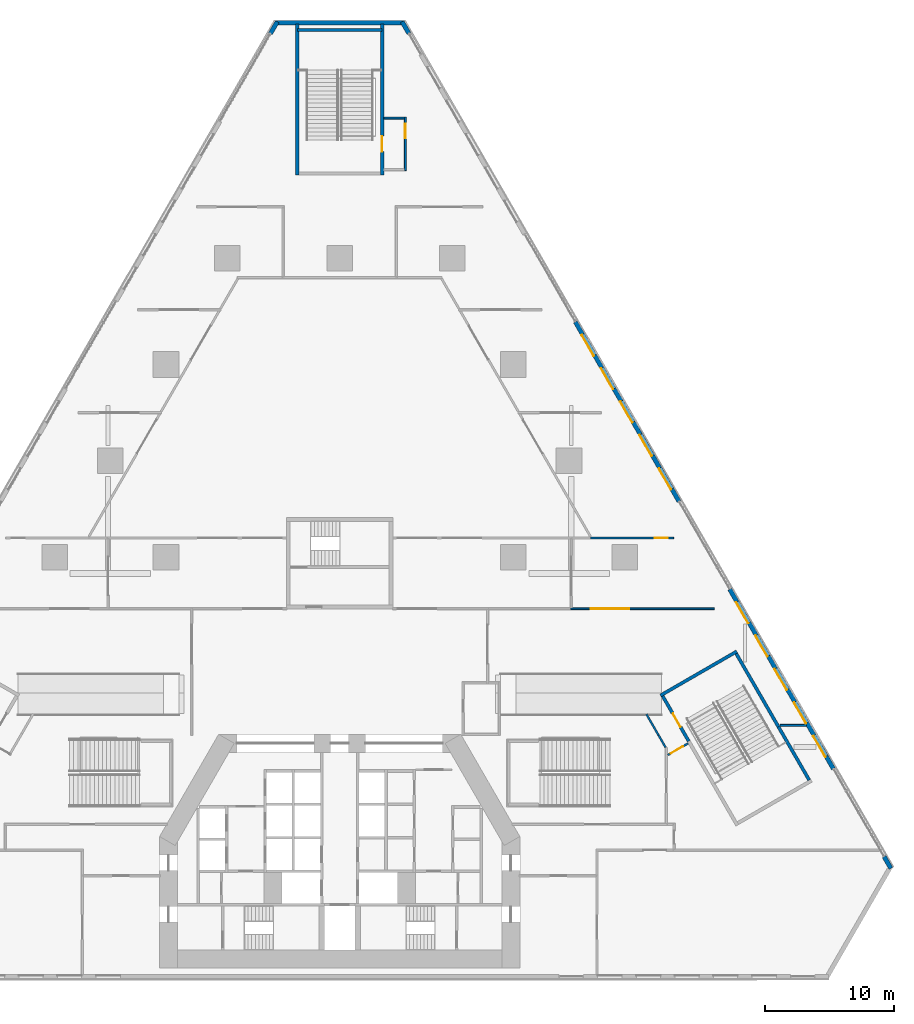
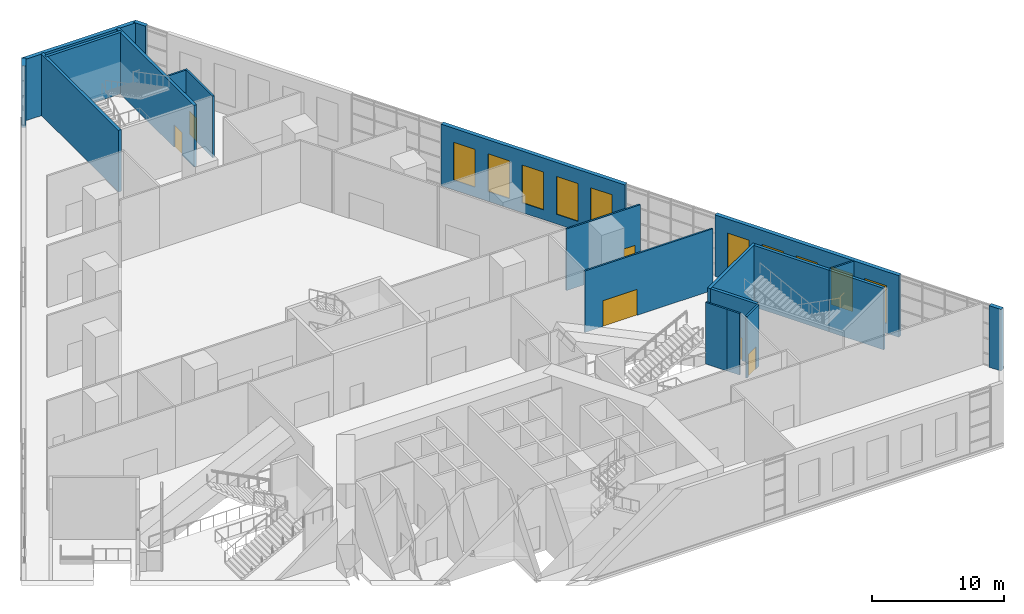
# One storey, part 19 of 27: 21 walls, 10 windows, 6 doors, 16 openings.
"""IFC4 building model written with IfcOpenShell, lengths in metres."""

import ifcopenshell
import ifcopenshell.guid

model = None  # the IFC model being written
_history = None  # IfcOwnerHistory: only IFC2X3 demands one
_inside = {}  # id of a spatial element -> (the spatial element, [elements in it])
_under = {}  # id of a project, library or spatial element -> (it, [spatial elements below it])
_declared = {}  # id of a project -> (the project, [libraries it declares])
_typed = {}  # id of a type object -> (the type object, [elements of that type])
_made_of = {}  # id of a material, layer set ... -> (it, [elements and type objects made of it])


def new_model(schema):
    """Start an empty IFC model of exactly this schema.

    Asked for "IFC4X3", IfcOpenShell would pick the latest addendum, in which some entities
    have other attributes; the version numbers below select the first issue.
    IFC2X3 requires an IfcOwnerHistory on every rooted entity: one is made here for all.
    """
    global model, _history
    if schema == "IFC4X3":
        model = ifcopenshell.file(schema_version=(4, 3, 0, 0))
    else:
        model = ifcopenshell.file(schema=schema)
    _inside.clear()
    _under.clear()
    _declared.clear()
    _typed.clear()
    _made_of.clear()
    _history = None
    if model.schema == "IFC2X3":
        org = make("IfcOrganization", Name="unknown")
        user = make(
            "IfcPersonAndOrganization",
            ThePerson=make("IfcPerson", FamilyName="unknown"),
            TheOrganization=org,
        )
        app = make(
            "IfcApplication",
            ApplicationDeveloper=org,
            Version="unknown",
            ApplicationFullName="unknown",
            ApplicationIdentifier="unknown",
        )
        _history = make(
            "IfcOwnerHistory",
            OwningUser=user,
            OwningApplication=app,
            ChangeAction="ADDED",
            CreationDate=0,
        )
    return model


def make(cls, **values):
    """One entity of the class cls with the attributes given. An attribute that is None is left unset."""
    return model.create_entity(
        cls, **{name: value for name, value in values.items() if value is not None}
    )


def rooted(cls, **values):
    """An entity with a GlobalId (a new one), such as an element, a storey or a relation."""
    return make(cls, GlobalId=ifcopenshell.guid.new(), OwnerHistory=_history, **values)


def si_unit(unit_type, name, prefix=None):
    """IfcSIUnit, for example si_unit("LENGTHUNIT", "METRE", prefix="MILLI")."""
    return make("IfcSIUnit", UnitType=unit_type, Prefix=prefix, Name=name)


def assignment(units):
    """IfcUnitAssignment: the units of a project."""
    return None if units is None else make("IfcUnitAssignment", Units=units)


def point(xyz):
    """IfcCartesianPoint."""
    return None if xyz is None else make("IfcCartesianPoint", Coordinates=xyz)


def direction(xyz):
    """IfcDirection."""
    return None if xyz is None else make("IfcDirection", DirectionRatios=xyz)


def frame(location, z_axis=None, x_axis=None):
    """IfcAxis2Placement3D, a coordinate frame: its origin and axes. An axis left out is left unset."""
    return make(
        "IfcAxis2Placement3D",
        Location=point(location),
        Axis=direction(z_axis),
        RefDirection=direction(x_axis),
    )


def frame_2d(location, x_axis=None):
    """IfcAxis2Placement2D, a coordinate frame in the plane: its origin and x axis."""
    return make(
        "IfcAxis2Placement2D", Location=point(location), RefDirection=direction(x_axis)
    )


def origin():
    """The frame at (0, 0, 0) with its axes left unset."""
    return frame((0.0, 0.0, 0.0))


def place(relative_to, where):
    """IfcLocalPlacement: puts the frame where relative to a parent placement (None: the world)."""
    return make(
        "IfcLocalPlacement", PlacementRelTo=relative_to, RelativePlacement=where
    )


def context(
    kind, dimensions, precision=None, world=None, true_north=None, identifier=None
):
    """IfcGeometricRepresentationContext, for example the 3D "Model" context."""
    return make(
        "IfcGeometricRepresentationContext",
        ContextIdentifier=identifier,
        ContextType=kind,
        CoordinateSpaceDimension=dimensions,
        Precision=precision,
        WorldCoordinateSystem=world,
        TrueNorth=true_north,
    )


def subcontext(parent, identifier, kind, view, scale=None):
    """IfcGeometricRepresentationSubContext, for example "Body" below "Model"."""
    return make(
        "IfcGeometricRepresentationSubContext",
        ContextIdentifier=identifier,
        ContextType=kind,
        ParentContext=parent,
        TargetScale=scale,
        TargetView=view,
    )


def project(units=None, contexts=None):
    """IfcProject with its units and contexts."""
    return rooted(
        "IfcProject",
        Name="project",
        RepresentationContexts=contexts,
        UnitsInContext=assignment(units),
    )


def spatial(cls, under=None, at=None, **own):
    """A site, building, storey or space (cls), placed at a placement, below another one or the project."""
    s = rooted(cls, ObjectPlacement=at, **own)
    if under is not None:
        _under.setdefault(under.id(), (under, []))[1].append(s)
    return s


def polyline(points):
    """IfcPolyline through the points."""
    return make("IfcPolyline", Points=[point(p) for p in points])


def profile(cls, at=None, kind="AREA", **sizes):
    """A parametric profile (cls). Its sizes go by their IFC names, for example OverallWidth=200.0."""
    return make(cls, ProfileType=kind, Position=at, **sizes)


def rectangle(**sizes):
    """IfcRectangleProfileDef."""
    return profile("IfcRectangleProfileDef", **sizes)


def outline(outer, holes=None, kind="AREA"):
    """IfcArbitraryClosedProfileDef: a profile drawn as a closed curve; with holes, ...WithVoids."""
    if holes is None:
        return make("IfcArbitraryClosedProfileDef", ProfileType=kind, OuterCurve=outer)
    return make(
        "IfcArbitraryProfileDefWithVoids",
        ProfileType=kind,
        OuterCurve=outer,
        InnerCurves=holes,
    )


def extrude(swept, where, along, depth):
    """IfcExtrudedAreaSolid: the profile swept, set in the frame where, extruded along a direction by depth."""
    return make(
        "IfcExtrudedAreaSolid",
        SweptArea=swept,
        Position=where,
        ExtrudedDirection=direction(along),
        Depth=depth,
    )


def shape(context_of_items, identifier, shape_type, items):
    """IfcShapeRepresentation: the items that make up one representation, for example the "Body"."""
    return make(
        "IfcShapeRepresentation",
        ContextOfItems=context_of_items,
        RepresentationIdentifier=identifier,
        RepresentationType=shape_type,
        Items=items,
    )


def material(Name=None, Category=None):
    """IfcMaterial."""
    return make("IfcMaterial", Name=Name, Category=Category)


def layer(
    of_material, thickness, ventilated=None, Name=None, Category=None, Priority=None
):
    """IfcMaterialLayer: one layer of a wall or slab, of a material (None: an air gap)."""
    return make(
        "IfcMaterialLayer",
        Material=of_material,
        LayerThickness=thickness,
        IsVentilated=ventilated,
        Name=Name,
        Category=Category,
        Priority=Priority,
    )


def layer_set(layers, Name=None):
    """IfcMaterialLayerSet."""
    return make("IfcMaterialLayerSet", MaterialLayers=layers, LayerSetName=Name)


def made_of(thing, what):
    """Note that an element or type object is made of a material, layer set ...; save() writes the relation."""
    if what is not None:
        _made_of.setdefault(what.id(), (what, []))[1].append(thing)
    return thing


def type_object(cls, material=None, **own):
    """A type object (cls), such as IfcWallType, which elements share."""
    return made_of(rooted(cls, **own), material)


def element(
    cls,
    number,
    at=None,
    inside=None,
    cuts=None,
    type_object=None,
    material=None,
    context=None,
    identifier="Body",
    shape_type=None,
    held_by="IfcProductDefinitionShape",
    body=None,
    shapes=None,
    **own,
):
    """One element of the class cls, such as IfcWall. Its Tag is "e" and its number.

    at: its placement. inside: the storey or other place that contains it. cuts: it is an
    opening in that element (IfcRelVoidsElement). A single representation is given by context,
    identifier, shape_type and body (its items); several are given by shapes. held_by: the class
    of the entity that holds the representations. save() writes the other relations.
    """
    e = rooted(cls, Tag="e%d" % number, ObjectPlacement=at, **own)
    if body is not None:
        shapes = [shape(context, identifier, shape_type, body)]
    if shapes is not None:
        e.Representation = make(held_by, Representations=shapes)
    if inside is not None:
        _inside.setdefault(inside.id(), (inside, []))[1].append(e)
    if cuts is not None:
        rooted(
            "IfcRelVoidsElement", RelatingBuildingElement=cuts, RelatedOpeningElement=e
        )
    if type_object is not None:
        _typed.setdefault(type_object.id(), (type_object, []))[1].append(e)
    return made_of(e, material)


def fill(opening, filler):
    """IfcRelFillsElement: the door or window that sits in an opening."""
    return rooted(
        "IfcRelFillsElement",
        RelatingOpeningElement=opening,
        RelatedBuildingElement=filler,
    )


def aggregate(whole, parts):
    """IfcRelAggregates: a whole, such as a stair, and the parts it consists of."""
    return rooted("IfcRelAggregates", RelatingObject=whole, RelatedObjects=parts)


def save(model, path):
    """Write the relations noted so far, then the file.

    IfcRelAggregates (storeys below a building ...), IfcRelContainedInSpatialStructure (elements
    in a storey), IfcRelDefinesByType, IfcRelAssociatesMaterial and IfcRelDeclares: one each for
    every whole, place, type object, material and project.
    """
    for whole, parts in _under.values():
        aggregate(whole, parts)
    for where, things in _inside.values():
        rooted(
            "IfcRelContainedInSpatialStructure",
            RelatedElements=things,
            RelatingStructure=where,
        )
    for kind, things in _typed.values():
        rooted("IfcRelDefinesByType", RelatedObjects=things, RelatingType=kind)
    for what, things in _made_of.values():
        rooted("IfcRelAssociatesMaterial", RelatedObjects=things, RelatingMaterial=what)
    for by, libraries in _declared.values():
        rooted("IfcRelDeclares", RelatingContext=by, RelatedDefinitions=libraries)
    model.write(path)


model = new_model("IFC4")

# Units and contexts
model_context = context("Model", 3, precision=1e-05, world=origin(), true_north=direction((0.0, 1.0)))
body_context = subcontext(model_context, "Body", "Model", "MODEL_VIEW")
ifc_project = project(units=[si_unit("LENGTHUNIT", "METRE"), si_unit("AREAUNIT", "SQUARE_METRE"), si_unit("VOLUMEUNIT", "CUBIC_METRE"), si_unit("PLANEANGLEUNIT", "RADIAN"), si_unit("MASSUNIT", "GRAM", prefix="KILO")], contexts=[model_context])

# Site, building, storey
site_placement = place(None, origin())
site = spatial("IfcSite", under=ifc_project, at=site_placement, CompositionType="ELEMENT")
building_placement = place(site_placement, origin())
building = spatial("IfcBuilding", under=site, at=building_placement, Name="Fogline Exchange Tower", CompositionType="ELEMENT")
storey_placement = place(building_placement, frame((0.0, 0.0, 8.0)))
storey = spatial("IfcBuildingStorey", under=building, at=storey_placement, Name="L01", CompositionType="ELEMENT", Elevation=8.0)

# Wall
ifc_material_1 = material(Name="Brick masonry", Category="masonry")
ifc_layer_1 = layer(ifc_material_1, 0.340087890625)
ifc_layer_set_1 = layer_set([ifc_layer_1], Name="FW1")
wall_type_1 = type_object("IfcWallType", Name="FW1", PredefinedType="SOLIDWALL", material=ifc_layer_set_1)
wall_1_placement = place(storey_placement, frame((42.852783203125, 8.5751953125, 0.0), z_axis=(0.0, 0.0, 1.0), x_axis=(-0.500062184469, 0.865989498588, 0.0)))
element("IfcWall", 1, at=wall_1_placement, inside=storey, type_object=wall_type_1, Name="Brick wall L01 E bay 1", PredefinedType="SOLIDWALL", context=body_context, shape_type="SweptSolid", body=[
    extrude(rectangle(XDim=1.057373046875, YDim=0.340087890625, at=frame_2d((0.52880859375, 0.0))), origin(), (0.0, 0.0, 1.0), 5.699951171875),
])

# Wall, openings, windows
wall_2_placement = place(storey_placement, frame((38.381591796875, 16.319580078125, 0.0), z_axis=(0.0, 0.0, 1.0), x_axis=(-0.500003967864, 0.866023112925, 0.0)))
wall_2 = element("IfcWall", 2, at=wall_2_placement, inside=storey, type_object=wall_type_1, Name="Brick wall L01 E bay 2", PredefinedType="SOLIDWALL", context=body_context, shape_type="SweptSolid", body=[
    extrude(rectangle(XDim=16.114990234375, YDim=0.340087890625, at=frame_2d((8.0576171875, 0.0))), origin(), (0.0, 0.0, 1.0), 5.699951171875),
])
opening_1_placement = place(wall_2_placement, frame((1.114990234375, 0.0, 0.89990234375)))
opening_1 = element("IfcOpeningElement", 3, at=opening_1_placement, cuts=wall_2, Name="Opening W7", PredefinedType="OPENING", context=body_context, shape_type="SweptSolid", body=[
    extrude(rectangle(XDim=1.885009765625, YDim=3.5, at=frame_2d((0.9423828125, 1.75))), frame((0.0, 0.18017578125, 0.0), z_axis=(0.0, -1.0, 0.0), x_axis=(1.0, 0.0, 0.0)), (0.0, 0.0, 1.0), 0.360107421875),
])
opening_2_placement = place(wall_2_placement, frame((4.114990234375, 0.0, 0.89990234375)))
opening_2 = element("IfcOpeningElement", 4, at=opening_2_placement, cuts=wall_2, Name="Opening W7", PredefinedType="OPENING", context=body_context, shape_type="SweptSolid", body=[
    extrude(rectangle(XDim=1.885009765625, YDim=3.5, at=frame_2d((0.9423828125, 1.75))), frame((0.0, 0.18017578125, 0.0), z_axis=(0.0, -1.0, 0.0), x_axis=(1.0, 0.0, 0.0)), (0.0, 0.0, 1.0), 0.360107421875),
])
opening_3_placement = place(wall_2_placement, frame((7.114990234375, 0.0, 0.89990234375)))
opening_3 = element("IfcOpeningElement", 5, at=opening_3_placement, cuts=wall_2, Name="Opening W7", PredefinedType="OPENING", context=body_context, shape_type="SweptSolid", body=[
    extrude(rectangle(XDim=1.885009765625, YDim=3.5, at=frame_2d((0.9423828125, 1.75))), frame((0.0, 0.18017578125, 0.0), z_axis=(0.0, -1.0, 0.0), x_axis=(1.0, 0.0, 0.0)), (0.0, 0.0, 1.0), 0.360107421875),
])
opening_4_placement = place(wall_2_placement, frame((10.114990234375, 0.0, 0.89990234375)))
opening_4 = element("IfcOpeningElement", 6, at=opening_4_placement, cuts=wall_2, Name="Opening W7", PredefinedType="OPENING", context=body_context, shape_type="SweptSolid", body=[
    extrude(rectangle(XDim=1.885009765625, YDim=3.5, at=frame_2d((0.9423828125, 1.75))), frame((0.0, 0.18017578125, 0.0), z_axis=(0.0, -1.0, 0.0), x_axis=(1.0, 0.0, 0.0)), (0.0, 0.0, 1.0), 0.360107421875),
])
opening_5_placement = place(wall_2_placement, frame((13.114990234375, 0.0, 0.89990234375)))
opening_5 = element("IfcOpeningElement", 7, at=opening_5_placement, cuts=wall_2, Name="Opening W7", PredefinedType="OPENING", context=body_context, shape_type="SweptSolid", body=[
    extrude(rectangle(XDim=1.885009765625, YDim=3.5, at=frame_2d((0.9423828125, 1.75))), frame((0.0, 0.18017578125, 0.0), z_axis=(0.0, -1.0, 0.0), x_axis=(1.0, 0.0, 0.0)), (0.0, 0.0, 1.0), 0.360107421875),
])
ifc_material_2 = material(Name="Aluminium and glass", Category="aluminium")
window_type = type_object("IfcWindowType", Name="W7", PartitioningType="SINGLE_PANEL", PredefinedType="WINDOW", material=ifc_material_2)
window_1_placement = place(opening_1_placement, origin())
window_1 = element("IfcWindow", 8, at=window_1_placement, inside=storey, type_object=window_type, Name="W7 W7", OverallHeight=3.5, OverallWidth=1.885009765625, PartitioningType="SINGLE_PANEL", PredefinedType="WINDOW", context=body_context, shape_type="SweptSolid", body=[
    extrude(rectangle(XDim=1.885009765625, YDim=3.5, at=frame_2d((0.9423828125, 1.75))), frame((0.0, 0.110107421875, 0.0), z_axis=(0.0, -1.0, 0.0), x_axis=(1.0, 0.0, 0.0)), (0.0, 0.0, 1.0), 0.06005859375),
])
fill(opening_1, window_1)
window_2_placement = place(opening_2_placement, origin())
window_2 = element("IfcWindow", 9, at=window_2_placement, inside=storey, type_object=window_type, Name="W7 W7", OverallHeight=3.5, OverallWidth=1.885009765625, PartitioningType="SINGLE_PANEL", PredefinedType="WINDOW", context=body_context, shape_type="SweptSolid", body=[
    extrude(rectangle(XDim=1.885009765625, YDim=3.5, at=frame_2d((0.9423828125, 1.75))), frame((0.0, 0.110107421875, 0.0), z_axis=(0.0, -1.0, 0.0), x_axis=(1.0, 0.0, 0.0)), (0.0, 0.0, 1.0), 0.06005859375),
])
fill(opening_2, window_2)
window_3_placement = place(opening_3_placement, origin())
window_3 = element("IfcWindow", 10, at=window_3_placement, inside=storey, type_object=window_type, Name="W7 W7", OverallHeight=3.5, OverallWidth=1.885009765625, PartitioningType="SINGLE_PANEL", PredefinedType="WINDOW", context=body_context, shape_type="SweptSolid", body=[
    extrude(rectangle(XDim=1.885009765625, YDim=3.5, at=frame_2d((0.9423828125, 1.75))), frame((0.0, 0.110107421875, 0.0), z_axis=(0.0, -1.0, 0.0), x_axis=(1.0, 0.0, 0.0)), (0.0, 0.0, 1.0), 0.06005859375),
])
fill(opening_3, window_3)
window_4_placement = place(opening_4_placement, origin())
window_4 = element("IfcWindow", 11, at=window_4_placement, inside=storey, type_object=window_type, Name="W7 W7", OverallHeight=3.5, OverallWidth=1.885009765625, PartitioningType="SINGLE_PANEL", PredefinedType="WINDOW", context=body_context, shape_type="SweptSolid", body=[
    extrude(rectangle(XDim=1.885009765625, YDim=3.5, at=frame_2d((0.9423828125, 1.75))), frame((0.0, 0.110107421875, 0.0), z_axis=(0.0, -1.0, 0.0), x_axis=(1.0, 0.0, 0.0)), (0.0, 0.0, 1.0), 0.06005859375),
])
fill(opening_4, window_4)
window_5_placement = place(opening_5_placement, origin())
window_5 = element("IfcWindow", 12, at=window_5_placement, inside=storey, type_object=window_type, Name="W7 W7", OverallHeight=3.5, OverallWidth=1.885009765625, PartitioningType="SINGLE_PANEL", PredefinedType="WINDOW", context=body_context, shape_type="SweptSolid", body=[
    extrude(rectangle(XDim=1.885009765625, YDim=3.5, at=frame_2d((0.9423828125, 1.75))), frame((0.0, 0.110107421875, 0.0), z_axis=(0.0, -1.0, 0.0), x_axis=(1.0, 0.0, 0.0)), (0.0, 0.0, 1.0), 0.06005859375),
])
fill(opening_5, window_5)

wall_3_placement = place(storey_placement, frame((26.381591796875, 37.104248046875, 0.0), z_axis=(0.0, 0.0, 1.0), x_axis=(-0.500003967864, 0.866023112925, 0.0)))
wall_3 = element("IfcWall", 13, at=wall_3_placement, inside=storey, type_object=wall_type_1, Name="Brick wall L01 E bay 3", PredefinedType="SOLIDWALL", context=body_context, shape_type="SweptSolid", body=[
    extrude(rectangle(XDim=16.114990234375, YDim=0.340087890625, at=frame_2d((8.0576171875, 0.0))), origin(), (0.0, 0.0, 1.0), 5.699951171875),
])
opening_6_placement = place(wall_3_placement, frame((1.114990234375, 0.0, 0.89990234375)))
opening_6 = element("IfcOpeningElement", 14, at=opening_6_placement, cuts=wall_3, Name="Opening W7", PredefinedType="OPENING", context=body_context, shape_type="SweptSolid", body=[
    extrude(rectangle(XDim=1.885009765625, YDim=3.5, at=frame_2d((0.9423828125, 1.75))), frame((0.0, 0.18017578125, 0.0), z_axis=(0.0, -1.0, 0.0), x_axis=(1.0, 0.0, 0.0)), (0.0, 0.0, 1.0), 0.360107421875),
])
opening_7_placement = place(wall_3_placement, frame((4.114990234375, 0.0, 0.89990234375)))
opening_7 = element("IfcOpeningElement", 15, at=opening_7_placement, cuts=wall_3, Name="Opening W7", PredefinedType="OPENING", context=body_context, shape_type="SweptSolid", body=[
    extrude(rectangle(XDim=1.885009765625, YDim=3.5, at=frame_2d((0.9423828125, 1.75))), frame((0.0, 0.18017578125, 0.0), z_axis=(0.0, -1.0, 0.0), x_axis=(1.0, 0.0, 0.0)), (0.0, 0.0, 1.0), 0.360107421875),
])
opening_8_placement = place(wall_3_placement, frame((7.114990234375, 0.0, 0.89990234375)))
opening_8 = element("IfcOpeningElement", 16, at=opening_8_placement, cuts=wall_3, Name="Opening W7", PredefinedType="OPENING", context=body_context, shape_type="SweptSolid", body=[
    extrude(rectangle(XDim=1.885009765625, YDim=3.5, at=frame_2d((0.9423828125, 1.75))), frame((0.0, 0.18017578125, 0.0), z_axis=(0.0, -1.0, 0.0), x_axis=(1.0, 0.0, 0.0)), (0.0, 0.0, 1.0), 0.360107421875),
])
opening_9_placement = place(wall_3_placement, frame((10.114990234375, 0.0, 0.89990234375)))
opening_9 = element("IfcOpeningElement", 17, at=opening_9_placement, cuts=wall_3, Name="Opening W7", PredefinedType="OPENING", context=body_context, shape_type="SweptSolid", body=[
    extrude(rectangle(XDim=1.885009765625, YDim=3.5, at=frame_2d((0.9423828125, 1.75))), frame((0.0, 0.18017578125, 0.0), z_axis=(0.0, -1.0, 0.0), x_axis=(1.0, 0.0, 0.0)), (0.0, 0.0, 1.0), 0.360107421875),
])
opening_10_placement = place(wall_3_placement, frame((13.114990234375, 0.0, 0.89990234375)))
opening_10 = element("IfcOpeningElement", 18, at=opening_10_placement, cuts=wall_3, Name="Opening W7", PredefinedType="OPENING", context=body_context, shape_type="SweptSolid", body=[
    extrude(rectangle(XDim=1.885009765625, YDim=3.5, at=frame_2d((0.9423828125, 1.75))), frame((0.0, 0.18017578125, 0.0), z_axis=(0.0, -1.0, 0.0), x_axis=(1.0, 0.0, 0.0)), (0.0, 0.0, 1.0), 0.360107421875),
])
window_6_placement = place(opening_6_placement, origin())
window_6 = element("IfcWindow", 19, at=window_6_placement, inside=storey, type_object=window_type, Name="W7 W7", OverallHeight=3.5, OverallWidth=1.885009765625, PartitioningType="SINGLE_PANEL", PredefinedType="WINDOW", context=body_context, shape_type="SweptSolid", body=[
    extrude(rectangle(XDim=1.885009765625, YDim=3.5, at=frame_2d((0.9423828125, 1.75))), frame((0.0, 0.110107421875, 0.0), z_axis=(0.0, -1.0, 0.0), x_axis=(1.0, 0.0, 0.0)), (0.0, 0.0, 1.0), 0.06005859375),
])
fill(opening_6, window_6)
window_7_placement = place(opening_7_placement, origin())
window_7 = element("IfcWindow", 20, at=window_7_placement, inside=storey, type_object=window_type, Name="W7 W7", OverallHeight=3.5, OverallWidth=1.885009765625, PartitioningType="SINGLE_PANEL", PredefinedType="WINDOW", context=body_context, shape_type="SweptSolid", body=[
    extrude(rectangle(XDim=1.885009765625, YDim=3.5, at=frame_2d((0.9423828125, 1.75))), frame((0.0, 0.110107421875, 0.0), z_axis=(0.0, -1.0, 0.0), x_axis=(1.0, 0.0, 0.0)), (0.0, 0.0, 1.0), 0.06005859375),
])
fill(opening_7, window_7)
window_8_placement = place(opening_8_placement, origin())
window_8 = element("IfcWindow", 21, at=window_8_placement, inside=storey, type_object=window_type, Name="W7 W7", OverallHeight=3.5, OverallWidth=1.885009765625, PartitioningType="SINGLE_PANEL", PredefinedType="WINDOW", context=body_context, shape_type="SweptSolid", body=[
    extrude(rectangle(XDim=1.885009765625, YDim=3.5, at=frame_2d((0.9423828125, 1.75))), frame((0.0, 0.110107421875, 0.0), z_axis=(0.0, -1.0, 0.0), x_axis=(1.0, 0.0, 0.0)), (0.0, 0.0, 1.0), 0.06005859375),
])
fill(opening_8, window_8)
window_9_placement = place(opening_9_placement, origin())
window_9 = element("IfcWindow", 22, at=window_9_placement, inside=storey, type_object=window_type, Name="W7 W7", OverallHeight=3.5, OverallWidth=1.885009765625, PartitioningType="SINGLE_PANEL", PredefinedType="WINDOW", context=body_context, shape_type="SweptSolid", body=[
    extrude(rectangle(XDim=1.885009765625, YDim=3.5, at=frame_2d((0.9423828125, 1.75))), frame((0.0, 0.110107421875, 0.0), z_axis=(0.0, -1.0, 0.0), x_axis=(1.0, 0.0, 0.0)), (0.0, 0.0, 1.0), 0.06005859375),
])
fill(opening_9, window_9)
window_10_placement = place(opening_10_placement, origin())
window_10 = element("IfcWindow", 23, at=window_10_placement, inside=storey, type_object=window_type, Name="W7 W7", OverallHeight=3.5, OverallWidth=1.885009765625, PartitioningType="SINGLE_PANEL", PredefinedType="WINDOW", context=body_context, shape_type="SweptSolid", body=[
    extrude(rectangle(XDim=1.885009765625, YDim=3.5, at=frame_2d((0.9423828125, 1.75))), frame((0.0, 0.110107421875, 0.0), z_axis=(0.0, -1.0, 0.0), x_axis=(1.0, 0.0, 0.0)), (0.0, 0.0, 1.0), 0.06005859375),
])
fill(opening_10, window_10)

# Walls
wall_4_placement = place(storey_placement, frame((5.381591796875, 73.477294921875, 0.0), z_axis=(0.0, 0.0, 1.0), x_axis=(-0.499962223639, 0.866047212878, 0.0)))
element("IfcWall", 24, at=wall_4_placement, inside=storey, type_object=wall_type_1, Name="Brick wall L01 E bay 5", PredefinedType="SOLIDWALL", context=body_context, shape_type="SweptSolid", body=[
    extrude(rectangle(XDim=1.0576171875, YDim=0.340087890625, at=frame_2d((0.52880859375, 0.0))), origin(), (0.0, 0.0, 1.0), 5.699951171875),
])
wall_5_placement = place(storey_placement, origin())
element("IfcWall", 25, at=wall_5_placement, inside=storey, type_object=wall_type_1, Name="Brick wall L01 N-c", PredefinedType="SOLIDWALL", context=body_context, shape_type="SweptSolid", body=[
    extrude(outline(polyline([(5.001220703125, 74.478271484375), (4.706298828125, 74.307861328125), (4.8046875, 74.1376953125), (-4.8046875, 74.1376953125), (-4.706298828125, 74.307861328125), (-5.001220703125, 74.478271484375), (-5.0009765625, 74.478759765625), (5.0009765625, 74.478759765625), (5.001220703125, 74.478271484375)])), origin(), (0.0, 0.0, 1.0), 5.699951171875),
])
wall_6_placement = place(storey_placement, frame((-4.852783203125, 74.393310546875, 0.0), z_axis=(0.0, 0.0, 1.0), x_axis=(-0.499962223639, -0.866047212878, 0.0)))
element("IfcWall", 26, at=wall_6_placement, inside=storey, type_object=wall_type_1, Name="Brick wall L01 W bay 1", PredefinedType="SOLIDWALL", context=body_context, shape_type="SweptSolid", body=[
    extrude(rectangle(XDim=1.0576171875, YDim=0.340087890625, at=frame_2d((0.52880859375, 0.0))), origin(), (0.0, 0.0, 1.0), 5.699951171875),
])
ifc_material_3 = material(Name="Plasterboard on steel stud", Category="steel")
ifc_layer_2 = layer(ifc_material_3, 0.14990234375)
ifc_layer_set_2 = layer_set([ifc_layer_2], Name="PP1")
wall_type_2 = type_object("IfcWallType", Name="PP1", PredefinedType="PARTITIONING", material=ifc_layer_set_2)
wall_7_placement = place(storey_placement, frame((25.3369140625, 17.974609375, 0.0), z_axis=(0.0, 0.0, 1.0), x_axis=(-0.50011622646, 0.865958290007, 0.0)))
element("IfcWall", 27, at=wall_7_placement, inside=storey, type_object=wall_type_2, Name="PP1 partition", PredefinedType="PARTITIONING", context=body_context, shape_type="SweptSolid", body=[
    extrude(rectangle(XDim=1.109130859375, YDim=0.14990234375, at=frame_2d((0.5546875, 0.0))), origin(), (0.0, 0.0, 1.0), 5.699951171875),
])

# Wall, opening, door
wall_8_placement = place(storey_placement, frame((27.086669921875, 18.29443359375, 0.0), z_axis=(0.0, 0.0, 1.0), x_axis=(-0.866100518934, -0.499869874169, 0.0)))
wall_8 = element("IfcWall", 28, at=wall_8_placement, inside=storey, type_object=wall_type_2, Name="PP1 partition", PredefinedType="PARTITIONING", context=body_context, shape_type="SweptSolid", body=[
    extrude(rectangle(XDim=1.81591796875, YDim=0.14990234375, at=frame_2d((0.907958984375, 0.0))), origin(), (0.0, 0.0, 1.0), 5.699951171875),
])
opening_11_placement = place(wall_8_placement, frame((0.461181640625, 0.0, 0.0)))
opening_11 = element("IfcOpeningElement", 29, at=opening_11_placement, cuts=wall_8, Name="Opening P01-D005", PredefinedType="OPENING", context=body_context, shape_type="SweptSolid", body=[
    extrude(rectangle(XDim=1.10009765625, YDim=2.10009765625, at=frame_2d((0.550048828125, 1.050048828125))), frame((0.0, 0.0849609375, 0.0), z_axis=(0.0, -1.0, 0.0), x_axis=(1.0, 0.0, 0.0)), (0.0, 0.0, 1.0), 0.169921875),
])
ifc_material_4 = material(Name="Steel Q235B", Category="steel")
door_type_1 = type_object("IfcDoorType", Name="PD5", OperationType="SINGLE_SWING_LEFT", PredefinedType="DOOR", material=ifc_material_4)
door_1_placement = place(opening_11_placement, origin())
door_1 = element("IfcDoor", 30, at=door_1_placement, inside=storey, type_object=door_type_1, Name="P01-D005", OperationType="SINGLE_SWING_RIGHT", OverallHeight=2.10009765625, OverallWidth=1.10009765625, PredefinedType="DOOR", context=body_context, shape_type="SweptSolid", body=[
    extrude(rectangle(XDim=1.10009765625, YDim=2.10009765625, at=frame_2d((0.550048828125, 1.050048828125))), frame((0.0, 0.02490234375, 0.0), z_axis=(0.0, -1.0, 0.0), x_axis=(1.0, 0.0, 0.0)), (0.0, 0.0, 1.0), 0.050048828125),
])
fill(opening_11, door_1)

# Walls
wall_9_placement = place(storey_placement, frame((24.7822265625, 18.93505859375, 0.0), z_axis=(0.0, 0.0, 1.0), x_axis=(-0.499962016178, 0.866047332643, 0.0)))
element("IfcWall", 31, at=wall_9_placement, inside=storey, type_object=wall_type_2, Name="PP1 partition", PredefinedType="PARTITIONING", context=body_context, shape_type="SweptSolid", body=[
    extrude(rectangle(XDim=1.882080078125, YDim=0.14990234375, at=frame_2d((0.94091796875, 0.0))), origin(), (0.0, 0.0, 1.0), 5.699951171875),
])
wall_10_placement = place(storey_placement, frame((34.2294921875, 19.699951171875, 0.0), z_axis=(0.0, 0.0, 1.0), x_axis=(1.0, 0.0, 0.0)))
element("IfcWall", 32, at=wall_10_placement, inside=storey, type_object=wall_type_2, Name="PP1 partition", PredefinedType="PARTITIONING", context=body_context, shape_type="SweptSolid", body=[
    extrude(rectangle(XDim=2.04443359375, YDim=0.14990234375, at=frame_2d((1.022216796875, 0.0))), origin(), (0.0, 0.0, 1.0), 5.699951171875),
])

# Wall, opening, door
wall_11_placement = place(storey_placement, frame((17.925048828125, 28.760009765625, 0.0), z_axis=(0.0, 0.0, 1.0), x_axis=(1.0, 0.0, 0.0)))
wall_11 = element("IfcWall", 33, at=wall_11_placement, inside=storey, type_object=wall_type_2, Name="PP1 partition", PredefinedType="PARTITIONING", context=body_context, shape_type="SweptSolid", body=[
    extrude(rectangle(XDim=11.201416015625, YDim=0.14990234375, at=frame_2d((5.6005859375, 0.0))), origin(), (0.0, 0.0, 1.0), 5.699951171875),
])
opening_12_placement = place(wall_11_placement, frame((1.574951171875, 0.0, 0.0)))
opening_12 = element("IfcOpeningElement", 34, at=opening_12_placement, cuts=wall_11, Name="Opening P01-D029", PredefinedType="OPENING", context=body_context, shape_type="SweptSolid", body=[
    extrude(rectangle(XDim=3.0, YDim=2.39990234375, at=frame_2d((1.5, 1.199951171875))), frame((0.0, 0.0849609375, 0.0), z_axis=(0.0, -1.0, 0.0), x_axis=(1.0, 0.0, 0.0)), (0.0, 0.0, 1.0), 0.169921875),
])
door_type_2 = type_object("IfcDoorType", Name="PD13", OperationType="DOUBLE_DOOR_SINGLE_SWING", PredefinedType="DOOR", material=ifc_material_4)
door_2_placement = place(opening_12_placement, origin())
door_2 = element("IfcDoor", 35, at=door_2_placement, inside=storey, type_object=door_type_2, Name="P01-D029", OperationType="DOUBLE_DOOR_SINGLE_SWING", OverallHeight=2.39990234375, OverallWidth=3.0, PredefinedType="DOOR", context=body_context, shape_type="SweptSolid", body=[
    extrude(rectangle(XDim=3.0, YDim=2.39990234375, at=frame_2d((1.5, 1.199951171875))), frame((0.0, 0.02490234375, 0.0), z_axis=(0.0, -1.0, 0.0), x_axis=(1.0, 0.0, 0.0)), (0.0, 0.0, 1.0), 0.050048828125),
])
fill(opening_12, door_2)

wall_12_placement = place(storey_placement, frame((19.484619140625, 34.260009765625, 0.0), z_axis=(0.0, 0.0, 1.0), x_axis=(1.0, 0.0, 0.0)))
wall_12 = element("IfcWall", 36, at=wall_12_placement, inside=storey, type_object=wall_type_2, Name="PP1 partition", PredefinedType="PARTITIONING", context=body_context, shape_type="SweptSolid", body=[
    extrude(rectangle(XDim=6.46630859375, YDim=0.14990234375, at=frame_2d((3.233154296875, 0.0))), origin(), (0.0, 0.0, 1.0), 5.699951171875),
])
opening_13_placement = place(wall_12_placement, frame((5.015380859375, 0.0, 0.0)))
opening_13 = element("IfcOpeningElement", 37, at=opening_13_placement, cuts=wall_12, Name="Opening P01-D033", PredefinedType="OPENING", context=body_context, shape_type="SweptSolid", body=[
    extrude(rectangle(XDim=1.0, YDim=2.10009765625, at=frame_2d((0.5, 1.050048828125))), frame((0.0, 0.0849609375, 0.0), z_axis=(0.0, -1.0, 0.0), x_axis=(1.0, 0.0, 0.0)), (0.0, 0.0, 1.0), 0.169921875),
])
ifc_material_5 = material(Name="Timber", Category="wood")
door_type_3 = type_object("IfcDoorType", Name="PD1", OperationType="SINGLE_SWING_LEFT", PredefinedType="DOOR", material=ifc_material_5)
door_3_placement = place(opening_13_placement, frame((1.0, 0.0, 0.0), z_axis=(0.0, 0.0, 1.0), x_axis=(-1.0, 0.0, 0.0)))
door_3 = element("IfcDoor", 38, at=door_3_placement, inside=storey, type_object=door_type_3, Name="P01-D033", OperationType="SINGLE_SWING_LEFT", OverallHeight=2.10009765625, OverallWidth=1.0, PredefinedType="DOOR", context=body_context, shape_type="SweptSolid", body=[
    extrude(rectangle(XDim=1.0, YDim=2.10009765625, at=frame_2d((0.5, 1.050048828125))), frame((0.0, 0.02490234375, 0.0), z_axis=(0.0, -1.0, 0.0), x_axis=(1.0, 0.0, 0.0)), (0.0, 0.0, 1.0), 0.050048828125),
])
fill(opening_13, door_3)

# Wall
wall_13_placement = place(storey_placement, frame((3.425048828125, 66.89990234375, 0.0), z_axis=(0.0, 0.0, 1.0), x_axis=(1.0, 0.0, 0.0)))
element("IfcWall", 39, at=wall_13_placement, inside=storey, type_object=wall_type_2, Name="PP1 partition", PredefinedType="PARTITIONING", context=body_context, shape_type="SweptSolid", body=[
    extrude(rectangle(XDim=1.599853515625, YDim=0.14990234375, at=frame_2d((0.7998046875, 0.0))), origin(), (0.0, 0.0, 1.0), 5.699951171875),
])

# Wall, opening, door
wall_14_placement = place(storey_placement, frame((5.10009765625, 66.97509765625, 0.0), z_axis=(0.0, 0.0, 1.0), x_axis=(0.0, -1.0, 0.0)))
wall_14 = element("IfcWall", 40, at=wall_14_placement, inside=storey, type_object=wall_type_2, Name="PP1 partition", PredefinedType="PARTITIONING", context=body_context, shape_type="SweptSolid", body=[
    extrude(rectangle(XDim=4.150146484375, YDim=0.14990234375, at=frame_2d((2.0751953125, 0.0))), origin(), (0.0, 0.0, 1.0), 5.699951171875),
])
opening_14_placement = place(wall_14_placement, frame((0.52490234375, 0.0, 0.0)))
opening_14 = element("IfcOpeningElement", 41, at=opening_14_placement, cuts=wall_14, Name="Opening P01-D006", PredefinedType="OPENING", context=body_context, shape_type="SweptSolid", body=[
    extrude(rectangle(XDim=1.10009765625, YDim=2.10009765625, at=frame_2d((0.550048828125, 1.050048828125))), frame((0.0, 0.0849609375, 0.0), z_axis=(0.0, -1.0, 0.0), x_axis=(1.0, 0.0, 0.0)), (0.0, 0.0, 1.0), 0.169921875),
])
door_4_placement = place(opening_14_placement, origin())
door_4 = element("IfcDoor", 42, at=door_4_placement, inside=storey, type_object=door_type_1, Name="P01-D006", OperationType="SINGLE_SWING_LEFT", OverallHeight=2.10009765625, OverallWidth=1.10009765625, PredefinedType="DOOR", context=body_context, shape_type="SweptSolid", body=[
    extrude(rectangle(XDim=1.10009765625, YDim=2.10009765625, at=frame_2d((0.550048828125, 1.050048828125))), frame((0.0, 0.02490234375, 0.0), z_axis=(0.0, -1.0, 0.0), x_axis=(1.0, 0.0, 0.0)), (0.0, 0.0, 1.0), 0.050048828125),
])
fill(opening_14, door_4)

ifc_material_6 = material(Name="Concrete C40", Category="concrete")
ifc_layer_3 = layer(ifc_material_6, 0.25)
ifc_layer_set_3 = layer_set([ifc_layer_3], Name="PP3")
wall_type_3 = type_object("IfcWallType", Name="PP3", PredefinedType="SOLIDWALL", material=ifc_layer_set_3)
wall_15_placement = place(storey_placement, frame((27.1318359375, 18.46533203125, 0.0), z_axis=(0.0, 0.0, 1.0), x_axis=(-0.499971214291, 0.866042022584, 0.0)))
wall_15 = element("IfcWall", 43, at=wall_15_placement, inside=storey, type_object=wall_type_3, Name="PP3 bearing wall", PredefinedType="SOLIDWALL", context=body_context, shape_type="SweptSolid", body=[
    extrude(rectangle(XDim=4.049560546875, YDim=0.25, at=frame_2d((2.02490234375, 0.0))), origin(), (0.0, 0.0, 1.0), 5.699951171875),
])
opening_15_placement = place(wall_15_placement, frame((1.274658203125, 0.0, 0.0)))
opening_15 = element("IfcOpeningElement", 44, at=opening_15_placement, cuts=wall_15, Name="Opening P01-D004", PredefinedType="OPENING", context=body_context, shape_type="SweptSolid", body=[
    extrude(rectangle(XDim=1.199951171875, YDim=2.10009765625, at=frame_2d((0.60009765625, 1.050048828125))), frame((0.0, 0.135009765625, 0.0), z_axis=(0.0, -1.0, 0.0), x_axis=(1.0, 0.0, 0.0)), (0.0, 0.0, 1.0), 0.27001953125),
])
door_type_4 = type_object("IfcDoorType", Name="PD7", OperationType="SINGLE_SWING_LEFT", PredefinedType="DOOR", material=ifc_material_4)
door_5_placement = place(opening_15_placement, origin())
door_5 = element("IfcDoor", 45, at=door_5_placement, inside=storey, type_object=door_type_4, Name="P01-D004", OperationType="SINGLE_SWING_LEFT", OverallHeight=2.10009765625, OverallWidth=1.199951171875, PredefinedType="DOOR", context=body_context, shape_type="SweptSolid", body=[
    extrude(rectangle(XDim=1.199951171875, YDim=2.10009765625, at=frame_2d((0.60009765625, 1.050048828125))), frame((0.0, 0.02490234375, 0.0), z_axis=(0.0, -1.0, 0.0), x_axis=(1.0, 0.0, 0.0)), (0.0, 0.0, 1.0), 0.050048828125),
])
fill(opening_15, door_5)

# Walls
wall_16_placement = place(storey_placement, frame((34.1025390625, 19.591552734375, 0.0), z_axis=(0.0, 0.0, 1.0), x_axis=(0.499981253467, -0.86603622683, 0.0)))
element("IfcWall", 46, at=wall_16_placement, inside=storey, type_object=wall_type_3, Name="PP3 bearing wall", PredefinedType="SOLIDWALL", context=body_context, shape_type="SweptSolid", body=[
    extrude(rectangle(XDim=4.790771484375, YDim=0.25, at=frame_2d((2.3955078125, 0.0))), origin(), (0.0, 0.0, 1.0), 5.699951171875),
])
wall_17_placement = place(storey_placement, frame((24.936279296875, 22.018310546875, 0.0), z_axis=(0.0, 0.0, 1.0), x_axis=(0.866050272892, 0.499956922968, 0.0)))
element("IfcWall", 47, at=wall_17_placement, inside=storey, type_object=wall_type_3, Name="PP3 bearing wall", PredefinedType="SOLIDWALL", context=body_context, shape_type="SweptSolid", body=[
    extrude(rectangle(XDim=6.85009765625, YDim=0.25, at=frame_2d((3.425048828125, 0.0))), origin(), (0.0, 0.0, 1.0), 5.699951171875),
])
wall_18_placement = place(storey_placement, frame((30.822998046875, 25.2724609375, 0.0), z_axis=(0.0, 0.0, 1.0), x_axis=(0.499978056798, -0.866038072327, 0.0)))
element("IfcWall", 48, at=wall_18_placement, inside=storey, type_object=wall_type_3, Name="PP3 bearing wall", PredefinedType="SOLIDWALL", context=body_context, shape_type="SweptSolid", body=[
    extrude(rectangle(XDim=6.559326171875, YDim=0.25, at=frame_2d((3.27978515625, 0.0))), origin(), (0.0, 0.0, 1.0), 5.699951171875),
])
wall_19_placement = place(storey_placement, frame((-3.300048828125, 62.47509765625, 0.0), z_axis=(0.0, 0.0, 1.0), x_axis=(0.0, 1.0, 0.0)))
element("IfcWall", 49, at=wall_19_placement, inside=storey, type_object=wall_type_3, Name="PP3 bearing wall", PredefinedType="SOLIDWALL", context=body_context, shape_type="SweptSolid", body=[
    extrude(rectangle(XDim=11.758056640625, YDim=0.25, at=frame_2d((5.87890625, 0.0))), origin(), (0.0, 0.0, 1.0), 5.699951171875),
])

# Wall, opening, door
wall_20_placement = place(storey_placement, frame((3.300048828125, 74.233154296875, 0.0), z_axis=(0.0, 0.0, 1.0), x_axis=(0.0, -1.0, 0.0)))
wall_20 = element("IfcWall", 50, at=wall_20_placement, inside=storey, type_object=wall_type_3, Name="PP3 bearing wall", PredefinedType="SOLIDWALL", context=body_context, shape_type="SweptSolid", body=[
    extrude(rectangle(XDim=11.758056640625, YDim=0.25, at=frame_2d((5.87890625, 0.0))), origin(), (0.0, 0.0, 1.0), 5.699951171875),
])
opening_16_placement = place(wall_20_placement, frame((8.733154296875, 0.0, 0.0)))
opening_16 = element("IfcOpeningElement", 51, at=opening_16_placement, cuts=wall_20, Name="Opening P01-D001", PredefinedType="OPENING", context=body_context, shape_type="SweptSolid", body=[
    extrude(rectangle(XDim=1.199951171875, YDim=2.10009765625, at=frame_2d((0.60009765625, 1.050048828125))), frame((0.0, 0.135009765625, 0.0), z_axis=(0.0, -1.0, 0.0), x_axis=(1.0, 0.0, 0.0)), (0.0, 0.0, 1.0), 0.27001953125),
])
door_6_placement = place(opening_16_placement, origin())
door_6 = element("IfcDoor", 52, at=door_6_placement, inside=storey, type_object=door_type_4, Name="P01-D001", OperationType="SINGLE_SWING_LEFT", OverallHeight=2.10009765625, OverallWidth=1.199951171875, PredefinedType="DOOR", context=body_context, shape_type="SweptSolid", body=[
    extrude(rectangle(XDim=1.199951171875, YDim=2.10009765625, at=frame_2d((0.60009765625, 1.050048828125))), frame((0.0, 0.02490234375, 0.0), z_axis=(0.0, -1.0, 0.0), x_axis=(1.0, 0.0, 0.0)), (0.0, 0.0, 1.0), 0.050048828125),
])
fill(opening_16, door_6)

# Wall
ifc_layer_4 = layer(ifc_material_6, 0.25)
ifc_layer_set_4 = layer_set([ifc_layer_4], Name="PP6")
wall_type_4 = type_object("IfcWallType", Name="PP6", PredefinedType="SOLIDWALL", material=ifc_layer_set_4)
wall_21_placement = place(storey_placement, frame((-3.300048828125, 73.75, 0.0), z_axis=(0.0, 0.0, 1.0), x_axis=(1.0, 0.0, 0.0)))
element("IfcWall", 53, at=wall_21_placement, inside=storey, type_object=wall_type_4, Name="PP6 bearing wall", PredefinedType="SOLIDWALL", context=body_context, shape_type="SweptSolid", body=[
    extrude(rectangle(XDim=6.60009765625, YDim=0.25, at=frame_2d((3.300048828125, 0.0))), origin(), (0.0, 0.0, 1.0), 5.699951171875),
])

save(model, "model.ifc")
